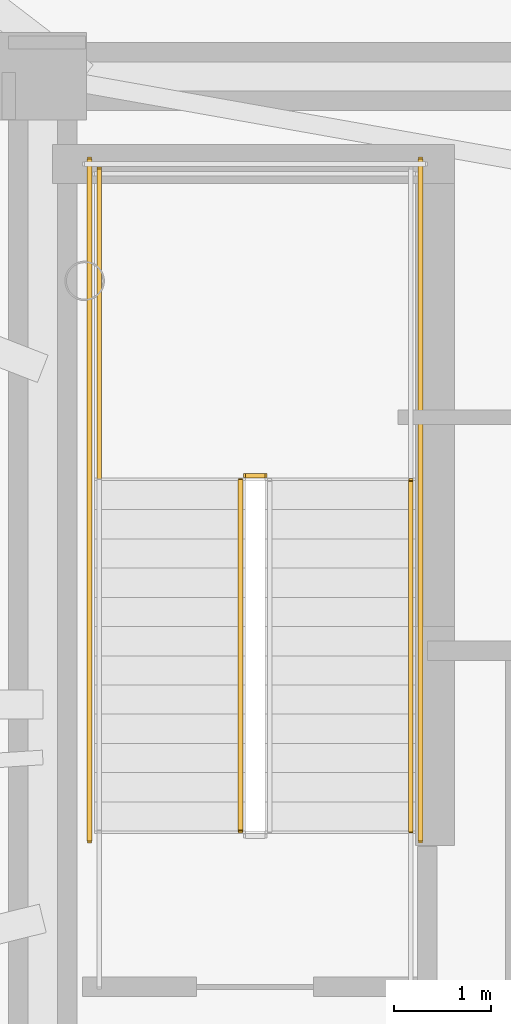
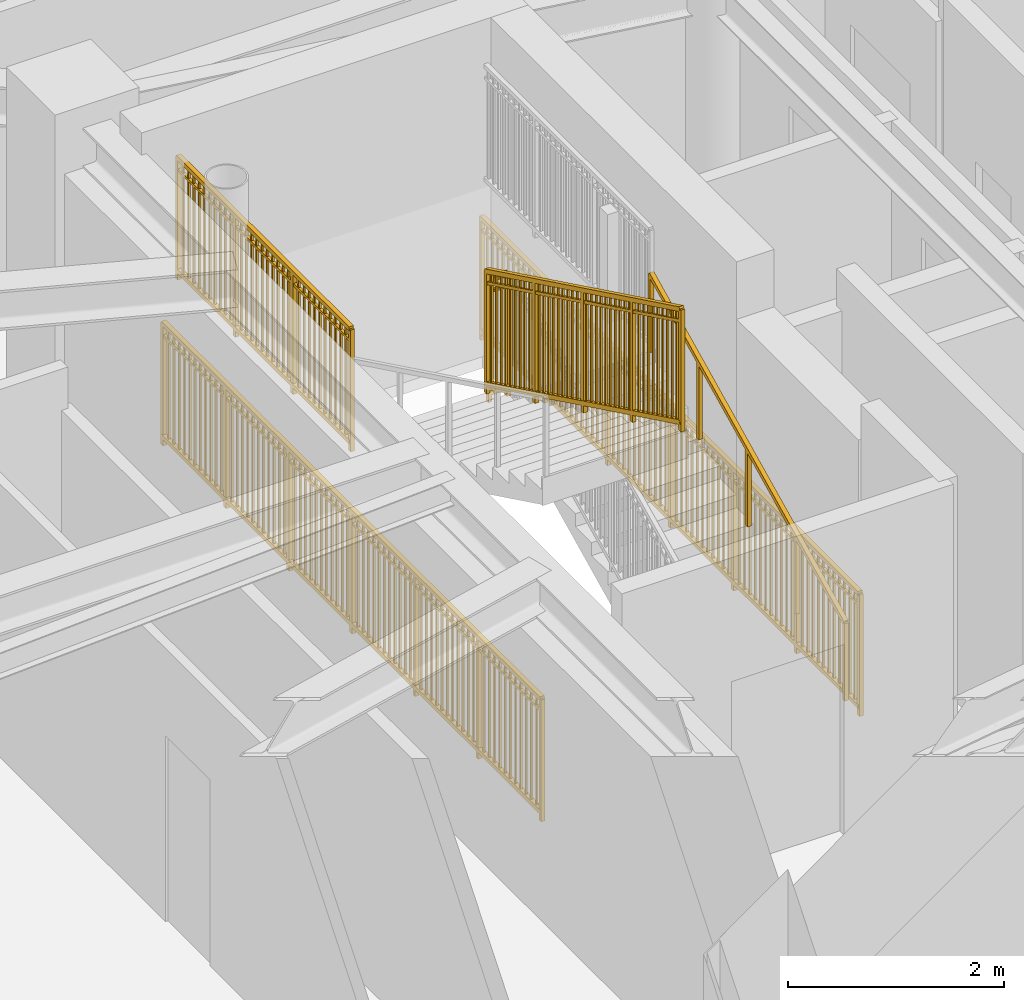
# One storey, part 17 of 19: 6 railings.
"""IFC4 building model written with IfcOpenShell, lengths in metres."""

from ifc_helpers import new_model, si_unit, direction, frame, origin, origin_2d, place, context, subcontext, project, spatial, rectangle, extrude, source, transform, mapped, material, type_object, element, save


model = new_model("IFC4")

# Units and contexts
model_context = context("Model", 3, precision=1e-05, world=origin(), true_north=direction((0.0, 1.0)))
body_context = subcontext(model_context, "Body", "Model", "MODEL_VIEW")
ifc_project = project(units=[si_unit("LENGTHUNIT", "METRE"), si_unit("AREAUNIT", "SQUARE_METRE"), si_unit("VOLUMEUNIT", "CUBIC_METRE"), si_unit("PLANEANGLEUNIT", "RADIAN"), si_unit("MASSUNIT", "GRAM", prefix="KILO")], contexts=[model_context])

# Site, building, storey
site_placement = place(None, origin())
site = spatial("IfcSite", under=ifc_project, at=site_placement, CompositionType="ELEMENT")
building_placement = place(site_placement, origin())
building = spatial("IfcBuilding", under=site, at=building_placement, Name="Linh Dai School and Residence Tower", CompositionType="ELEMENT")
storey_placement = place(building_placement, frame((0.0, 0.0, 339.199951171875)))
storey = spatial("IfcBuildingStorey", under=building, at=storey_placement, Name="L84", CompositionType="ELEMENT", Elevation=339.199951171875)

# Railings
ifc_material_1 = material(Name="Structural Steel S355JR", Category="steel")
railing_type_1 = type_object("IfcRailingType", Name="RL-ST-GUARD-1400", PredefinedType="GUARDRAIL", material=ifc_material_1)
shared_shape_1 = source(origin(), body_context, "Body", "SweptSolid", [
    extrude(rectangle(XDim=0.048095703125, YDim=0.048095703125, at=origin_2d()), frame((0.0, 0.0, 1.3759765625), z_axis=(-1.0, 0.0, 0.0), x_axis=(0.0, -1.0, 0.0)), (0.0, 0.0, 1.0), 0.199951171875),
    extrude(rectangle(XDim=0.048095703125, YDim=0.048095703125, at=origin_2d()), frame((0.0, 0.0, 0.10009765625), z_axis=(-1.0, 0.0, 0.0), x_axis=(0.0, -1.0, 0.0)), (0.0, 0.0, 1.0), 0.199951171875),
    extrude(rectangle(XDim=0.030029296875, YDim=0.030029296875, at=origin_2d()), frame((0.0, 0.0, 1.239990234375), z_axis=(-1.0, 0.0, 0.0), x_axis=(0.0, -1.0, 0.0)), (0.0, 0.0, 1.0), 0.199951171875),
    extrude(rectangle(XDim=0.0419921875, YDim=0.0419921875, at=origin_2d()), origin(), (0.0, 0.0, 1.0), 1.3759765625),
    extrude(rectangle(XDim=0.0419921875, YDim=0.0419921875, at=origin_2d()), frame((-0.199951171875, 0.0, 0.0)), (0.0, 0.0, 1.0), 1.3759765625),
])
railing_1_placement = place(storey_placement, frame((29.429931640625, 29.35009765625, 1.900146484375)))
element("IfcRailing", 1, at=railing_1_placement, inside=storey, type_object=railing_type_1, Name="L84 ST1 stair guard 2", PredefinedType="GUARDRAIL", context=body_context, shape_type="MappedRepresentation", body=[
    mapped(shared_shape_1, transform((0.0, 0.0, 0.0), x_axis=(1.0, 0.0, 0.0), y_axis=(0.0, 1.0, 0.0), z_axis=(0.0, 0.0, 1.0), scale=1.0)),
])
shared_shape_2 = source(origin(), body_context, "Body", "SweptSolid", [
    extrude(rectangle(XDim=0.048095703125, YDim=0.048095703125, at=origin_2d()), frame((0.0, 0.0, 1.3759765625), z_axis=(0.0, 1.0, 0.0), x_axis=(-1.0, 0.0, 0.0)), (0.0, 0.0, 1.0), 7.0),
    extrude(rectangle(XDim=0.048095703125, YDim=0.048095703125, at=origin_2d()), frame((0.0, 0.0, 0.10009765625), z_axis=(0.0, 1.0, 0.0), x_axis=(-1.0, 0.0, 0.0)), (0.0, 0.0, 1.0), 7.0),
    extrude(rectangle(XDim=0.030029296875, YDim=0.030029296875, at=origin_2d()), frame((0.0, 0.0, 1.239990234375), z_axis=(0.0, 1.0, 0.0), x_axis=(-1.0, 0.0, 0.0)), (0.0, 0.0, 1.0), 7.0),
    extrude(rectangle(XDim=0.02001953125, YDim=0.02001953125, at=origin_2d()), frame((0.0, 0.09716796875, 0.10009765625)), (0.0, 0.0, 1.0), 1.251708984375),
    extrude(rectangle(XDim=0.02001953125, YDim=0.02001953125, at=origin_2d()), frame((0.0, 0.1943359375, 0.10009765625)), (0.0, 0.0, 1.0), 1.251708984375),
    extrude(rectangle(XDim=0.02001953125, YDim=0.02001953125, at=origin_2d()), frame((0.0, 0.291748046875, 0.10009765625)), (0.0, 0.0, 1.0), 1.251708984375),
    extrude(rectangle(XDim=0.02001953125, YDim=0.02001953125, at=origin_2d()), frame((0.0, 0.388916015625, 0.10009765625)), (0.0, 0.0, 1.0), 1.251708984375),
    extrude(rectangle(XDim=0.02001953125, YDim=0.02001953125, at=origin_2d()), frame((0.0, 0.486083984375, 0.10009765625)), (0.0, 0.0, 1.0), 1.251708984375),
    extrude(rectangle(XDim=0.02001953125, YDim=0.02001953125, at=origin_2d()), frame((0.0, 0.583251953125, 0.10009765625)), (0.0, 0.0, 1.0), 1.251708984375),
    extrude(rectangle(XDim=0.02001953125, YDim=0.02001953125, at=origin_2d()), frame((0.0, 0.6806640625, 0.10009765625)), (0.0, 0.0, 1.0), 1.251708984375),
    extrude(rectangle(XDim=0.02001953125, YDim=0.02001953125, at=origin_2d()), frame((0.0, 0.77783203125, 0.10009765625)), (0.0, 0.0, 1.0), 1.251708984375),
    extrude(rectangle(XDim=0.02001953125, YDim=0.02001953125, at=origin_2d()), frame((0.0, 0.875, 0.10009765625)), (0.0, 0.0, 1.0), 1.251708984375),
    extrude(rectangle(XDim=0.02001953125, YDim=0.02001953125, at=origin_2d()), frame((0.0, 0.97216796875, 0.10009765625)), (0.0, 0.0, 1.0), 1.251708984375),
    extrude(rectangle(XDim=0.02001953125, YDim=0.02001953125, at=origin_2d()), frame((0.0, 1.0693359375, 0.10009765625)), (0.0, 0.0, 1.0), 1.251708984375),
    extrude(rectangle(XDim=0.02001953125, YDim=0.02001953125, at=origin_2d()), frame((0.0, 1.263916015625, 0.10009765625)), (0.0, 0.0, 1.0), 1.251708984375),
    extrude(rectangle(XDim=0.02001953125, YDim=0.02001953125, at=origin_2d()), frame((0.0, 1.361083984375, 0.10009765625)), (0.0, 0.0, 1.0), 1.251708984375),
    extrude(rectangle(XDim=0.02001953125, YDim=0.02001953125, at=origin_2d()), frame((0.0, 1.458251953125, 0.10009765625)), (0.0, 0.0, 1.0), 1.251708984375),
    extrude(rectangle(XDim=0.02001953125, YDim=0.02001953125, at=origin_2d()), frame((0.0, 1.5556640625, 0.10009765625)), (0.0, 0.0, 1.0), 1.251708984375),
    extrude(rectangle(XDim=0.02001953125, YDim=0.02001953125, at=origin_2d()), frame((0.0, 1.65283203125, 0.10009765625)), (0.0, 0.0, 1.0), 1.251708984375),
    extrude(rectangle(XDim=0.02001953125, YDim=0.02001953125, at=origin_2d()), frame((0.0, 1.75, 0.10009765625)), (0.0, 0.0, 1.0), 1.251708984375),
    extrude(rectangle(XDim=0.02001953125, YDim=0.02001953125, at=origin_2d()), frame((0.0, 1.84716796875, 0.10009765625)), (0.0, 0.0, 1.0), 1.251708984375),
    extrude(rectangle(XDim=0.02001953125, YDim=0.02001953125, at=origin_2d()), frame((0.0, 1.9443359375, 0.10009765625)), (0.0, 0.0, 1.0), 1.251708984375),
    extrude(rectangle(XDim=0.02001953125, YDim=0.02001953125, at=origin_2d()), frame((0.0, 2.041748046875, 0.10009765625)), (0.0, 0.0, 1.0), 1.251708984375),
    extrude(rectangle(XDim=0.02001953125, YDim=0.02001953125, at=origin_2d()), frame((0.0, 2.138916015625, 0.10009765625)), (0.0, 0.0, 1.0), 1.251708984375),
    extrude(rectangle(XDim=0.02001953125, YDim=0.02001953125, at=origin_2d()), frame((0.0, 2.236083984375, 0.10009765625)), (0.0, 0.0, 1.0), 1.251708984375),
    extrude(rectangle(XDim=0.02001953125, YDim=0.02001953125, at=origin_2d()), frame((0.0, 2.4306640625, 0.10009765625)), (0.0, 0.0, 1.0), 1.251708984375),
    extrude(rectangle(XDim=0.02001953125, YDim=0.02001953125, at=origin_2d()), frame((0.0, 2.52783203125, 0.10009765625)), (0.0, 0.0, 1.0), 1.251708984375),
    extrude(rectangle(XDim=0.02001953125, YDim=0.02001953125, at=origin_2d()), frame((0.0, 2.625, 0.10009765625)), (0.0, 0.0, 1.0), 1.251708984375),
    extrude(rectangle(XDim=0.02001953125, YDim=0.02001953125, at=origin_2d()), frame((0.0, 2.72216796875, 0.10009765625)), (0.0, 0.0, 1.0), 1.251708984375),
    extrude(rectangle(XDim=0.02001953125, YDim=0.02001953125, at=origin_2d()), frame((0.0, 2.8193359375, 0.10009765625)), (0.0, 0.0, 1.0), 1.251708984375),
    extrude(rectangle(XDim=0.02001953125, YDim=0.02001953125, at=origin_2d()), frame((0.0, 2.916748046875, 0.10009765625)), (0.0, 0.0, 1.0), 1.251708984375),
    extrude(rectangle(XDim=0.02001953125, YDim=0.02001953125, at=origin_2d()), frame((0.0, 3.013916015625, 0.10009765625)), (0.0, 0.0, 1.0), 1.251708984375),
    extrude(rectangle(XDim=0.02001953125, YDim=0.02001953125, at=origin_2d()), frame((0.0, 3.111083984375, 0.10009765625)), (0.0, 0.0, 1.0), 1.251708984375),
    extrude(rectangle(XDim=0.02001953125, YDim=0.02001953125, at=origin_2d()), frame((0.0, 3.208251953125, 0.10009765625)), (0.0, 0.0, 1.0), 1.251708984375),
    extrude(rectangle(XDim=0.02001953125, YDim=0.02001953125, at=origin_2d()), frame((0.0, 3.3056640625, 0.10009765625)), (0.0, 0.0, 1.0), 1.251708984375),
    extrude(rectangle(XDim=0.02001953125, YDim=0.02001953125, at=origin_2d()), frame((0.0, 3.40283203125, 0.10009765625)), (0.0, 0.0, 1.0), 1.251708984375),
    extrude(rectangle(XDim=0.02001953125, YDim=0.02001953125, at=origin_2d()), frame((0.0, 3.59716796875, 0.10009765625)), (0.0, 0.0, 1.0), 1.251708984375),
    extrude(rectangle(XDim=0.02001953125, YDim=0.02001953125, at=origin_2d()), frame((0.0, 3.6943359375, 0.10009765625)), (0.0, 0.0, 1.0), 1.251708984375),
    extrude(rectangle(XDim=0.02001953125, YDim=0.02001953125, at=origin_2d()), frame((0.0, 3.791748046875, 0.10009765625)), (0.0, 0.0, 1.0), 1.251708984375),
    extrude(rectangle(XDim=0.02001953125, YDim=0.02001953125, at=origin_2d()), frame((0.0, 3.888916015625, 0.10009765625)), (0.0, 0.0, 1.0), 1.251708984375),
    extrude(rectangle(XDim=0.02001953125, YDim=0.02001953125, at=origin_2d()), frame((0.0, 3.986083984375, 0.10009765625)), (0.0, 0.0, 1.0), 1.251708984375),
    extrude(rectangle(XDim=0.02001953125, YDim=0.02001953125, at=origin_2d()), frame((0.0, 4.083251953125, 0.10009765625)), (0.0, 0.0, 1.0), 1.251708984375),
    extrude(rectangle(XDim=0.02001953125, YDim=0.02001953125, at=origin_2d()), frame((0.0, 4.1806640625, 0.10009765625)), (0.0, 0.0, 1.0), 1.251708984375),
    extrude(rectangle(XDim=0.02001953125, YDim=0.02001953125, at=origin_2d()), frame((0.0, 4.27783203125, 0.10009765625)), (0.0, 0.0, 1.0), 1.251708984375),
    extrude(rectangle(XDim=0.02001953125, YDim=0.02001953125, at=origin_2d()), frame((0.0, 4.375, 0.10009765625)), (0.0, 0.0, 1.0), 1.251708984375),
    extrude(rectangle(XDim=0.02001953125, YDim=0.02001953125, at=origin_2d()), frame((0.0, 4.47216796875, 0.10009765625)), (0.0, 0.0, 1.0), 1.251708984375),
    extrude(rectangle(XDim=0.02001953125, YDim=0.02001953125, at=origin_2d()), frame((0.0, 4.5693359375, 0.10009765625)), (0.0, 0.0, 1.0), 1.251708984375),
    extrude(rectangle(XDim=0.02001953125, YDim=0.02001953125, at=origin_2d()), frame((0.0, 4.763916015625, 0.10009765625)), (0.0, 0.0, 1.0), 1.251708984375),
    extrude(rectangle(XDim=0.02001953125, YDim=0.02001953125, at=origin_2d()), frame((0.0, 4.861083984375, 0.10009765625)), (0.0, 0.0, 1.0), 1.251708984375),
    extrude(rectangle(XDim=0.02001953125, YDim=0.02001953125, at=origin_2d()), frame((0.0, 4.958251953125, 0.10009765625)), (0.0, 0.0, 1.0), 1.251708984375),
    extrude(rectangle(XDim=0.02001953125, YDim=0.02001953125, at=origin_2d()), frame((0.0, 5.0556640625, 0.10009765625)), (0.0, 0.0, 1.0), 1.251708984375),
    extrude(rectangle(XDim=0.02001953125, YDim=0.02001953125, at=origin_2d()), frame((0.0, 5.15283203125, 0.10009765625)), (0.0, 0.0, 1.0), 1.251708984375),
    extrude(rectangle(XDim=0.02001953125, YDim=0.02001953125, at=origin_2d()), frame((0.0, 5.25, 0.10009765625)), (0.0, 0.0, 1.0), 1.251708984375),
    extrude(rectangle(XDim=0.02001953125, YDim=0.02001953125, at=origin_2d()), frame((0.0, 5.34716796875, 0.10009765625)), (0.0, 0.0, 1.0), 1.251708984375),
    extrude(rectangle(XDim=0.02001953125, YDim=0.02001953125, at=origin_2d()), frame((0.0, 5.4443359375, 0.10009765625)), (0.0, 0.0, 1.0), 1.251708984375),
    extrude(rectangle(XDim=0.02001953125, YDim=0.02001953125, at=origin_2d()), frame((0.0, 5.541748046875, 0.10009765625)), (0.0, 0.0, 1.0), 1.251708984375),
    extrude(rectangle(XDim=0.02001953125, YDim=0.02001953125, at=origin_2d()), frame((0.0, 5.638916015625, 0.10009765625)), (0.0, 0.0, 1.0), 1.251708984375),
    extrude(rectangle(XDim=0.02001953125, YDim=0.02001953125, at=origin_2d()), frame((0.0, 5.736083984375, 0.10009765625)), (0.0, 0.0, 1.0), 1.251708984375),
    extrude(rectangle(XDim=0.02001953125, YDim=0.02001953125, at=origin_2d()), frame((0.0, 5.9306640625, 0.10009765625)), (0.0, 0.0, 1.0), 1.251708984375),
    extrude(rectangle(XDim=0.02001953125, YDim=0.02001953125, at=origin_2d()), frame((0.0, 6.02783203125, 0.10009765625)), (0.0, 0.0, 1.0), 1.251708984375),
    extrude(rectangle(XDim=0.02001953125, YDim=0.02001953125, at=origin_2d()), frame((0.0, 6.125, 0.10009765625)), (0.0, 0.0, 1.0), 1.251708984375),
    extrude(rectangle(XDim=0.02001953125, YDim=0.02001953125, at=origin_2d()), frame((0.0, 6.22216796875, 0.10009765625)), (0.0, 0.0, 1.0), 1.251708984375),
    extrude(rectangle(XDim=0.02001953125, YDim=0.02001953125, at=origin_2d()), frame((0.0, 6.3193359375, 0.10009765625)), (0.0, 0.0, 1.0), 1.251708984375),
    extrude(rectangle(XDim=0.02001953125, YDim=0.02001953125, at=origin_2d()), frame((0.0, 6.416748046875, 0.10009765625)), (0.0, 0.0, 1.0), 1.251708984375),
    extrude(rectangle(XDim=0.02001953125, YDim=0.02001953125, at=origin_2d()), frame((0.0, 6.513916015625, 0.10009765625)), (0.0, 0.0, 1.0), 1.251708984375),
    extrude(rectangle(XDim=0.02001953125, YDim=0.02001953125, at=origin_2d()), frame((0.0, 6.611083984375, 0.10009765625)), (0.0, 0.0, 1.0), 1.251708984375),
    extrude(rectangle(XDim=0.02001953125, YDim=0.02001953125, at=origin_2d()), frame((0.0, 6.708251953125, 0.10009765625)), (0.0, 0.0, 1.0), 1.251708984375),
    extrude(rectangle(XDim=0.02001953125, YDim=0.02001953125, at=origin_2d()), frame((0.0, 6.8056640625, 0.10009765625)), (0.0, 0.0, 1.0), 1.251708984375),
    extrude(rectangle(XDim=0.02001953125, YDim=0.02001953125, at=origin_2d()), frame((0.0, 6.90283203125, 0.10009765625)), (0.0, 0.0, 1.0), 1.251708984375),
    extrude(rectangle(XDim=0.0419921875, YDim=0.0419921875, at=origin_2d()), origin(), (0.0, 0.0, 1.0), 1.3759765625),
    extrude(rectangle(XDim=0.0419921875, YDim=0.0419921875, at=origin_2d()), frame((0.0, 1.166748046875, 0.0)), (0.0, 0.0, 1.0), 1.3759765625),
    extrude(rectangle(XDim=0.0419921875, YDim=0.0419921875, at=origin_2d()), frame((0.0, 2.333251953125, 0.0)), (0.0, 0.0, 1.0), 1.3759765625),
    extrude(rectangle(XDim=0.0419921875, YDim=0.0419921875, at=origin_2d()), frame((0.0, 3.5, 0.0)), (0.0, 0.0, 1.0), 1.3759765625),
    extrude(rectangle(XDim=0.0419921875, YDim=0.0419921875, at=origin_2d()), frame((0.0, 4.666748046875, 0.0)), (0.0, 0.0, 1.0), 1.3759765625),
    extrude(rectangle(XDim=0.0419921875, YDim=0.0419921875, at=origin_2d()), frame((0.0, 5.833251953125, 0.0)), (0.0, 0.0, 1.0), 1.3759765625),
    extrude(rectangle(XDim=0.0419921875, YDim=0.0419921875, at=origin_2d()), frame((0.0, 7.0, 0.0)), (0.0, 0.0, 1.0), 1.3759765625),
])
for number, where, name in (
    (2, (31.030029296875, 25.60009765625, 0.0), "L84 ST1 stair guard 10"),
    (3, (27.6298828125, 25.60009765625, 0.0), "L84 ST1 stair guard 11"),
):
    element("IfcRailing", number, at=place(storey_placement, frame(where)), inside=storey, type_object=railing_type_1, Name=name, PredefinedType="GUARDRAIL", context=body_context, shape_type="MappedRepresentation", body=[
        mapped(shared_shape_2, transform((0.0, 0.0, 0.0), x_axis=(1.0, 0.0, 0.0), y_axis=(0.0, 1.0, 0.0), z_axis=(0.0, 0.0, 1.0), scale=1.0)),
    ])
shared_shape_3 = source(origin(), body_context, "Body", "SweptSolid", [
    extrude(rectangle(XDim=0.048095703125, YDim=0.048095703125, at=origin_2d()), frame((0.0, 0.0, 1.3759765625), z_axis=(0.0, 1.0, 0.0), x_axis=(-1.0, 0.0, 0.0)), (0.0, 0.0, 1.0), 3.199951171875),
    extrude(rectangle(XDim=0.048095703125, YDim=0.048095703125, at=origin_2d()), frame((0.0, 0.0, 0.10009765625), z_axis=(0.0, 1.0, 0.0), x_axis=(-1.0, 0.0, 0.0)), (0.0, 0.0, 1.0), 3.199951171875),
    extrude(rectangle(XDim=0.030029296875, YDim=0.030029296875, at=origin_2d()), frame((0.0, 0.0, 1.239990234375), z_axis=(0.0, 1.0, 0.0), x_axis=(-1.0, 0.0, 0.0)), (0.0, 0.0, 1.0), 3.199951171875),
    extrude(rectangle(XDim=0.02001953125, YDim=0.02001953125, at=origin_2d()), frame((0.0, 0.096923828125, 0.10009765625)), (0.0, 0.0, 1.0), 1.251708984375),
    extrude(rectangle(XDim=0.02001953125, YDim=0.02001953125, at=origin_2d()), frame((0.0, 0.19384765625, 0.10009765625)), (0.0, 0.0, 1.0), 1.251708984375),
    extrude(rectangle(XDim=0.02001953125, YDim=0.02001953125, at=origin_2d()), frame((0.0, 0.291015625, 0.10009765625)), (0.0, 0.0, 1.0), 1.251708984375),
    extrude(rectangle(XDim=0.02001953125, YDim=0.02001953125, at=origin_2d()), frame((0.0, 0.387939453125, 0.10009765625)), (0.0, 0.0, 1.0), 1.251708984375),
    extrude(rectangle(XDim=0.02001953125, YDim=0.02001953125, at=origin_2d()), frame((0.0, 0.48486328125, 0.10009765625)), (0.0, 0.0, 1.0), 1.251708984375),
    extrude(rectangle(XDim=0.02001953125, YDim=0.02001953125, at=origin_2d()), frame((0.0, 0.581787109375, 0.10009765625)), (0.0, 0.0, 1.0), 1.251708984375),
    extrude(rectangle(XDim=0.02001953125, YDim=0.02001953125, at=origin_2d()), frame((0.0, 0.6787109375, 0.10009765625)), (0.0, 0.0, 1.0), 1.251708984375),
    extrude(rectangle(XDim=0.02001953125, YDim=0.02001953125, at=origin_2d()), frame((0.0, 0.775634765625, 0.10009765625)), (0.0, 0.0, 1.0), 1.251708984375),
    extrude(rectangle(XDim=0.02001953125, YDim=0.02001953125, at=origin_2d()), frame((0.0, 0.872802734375, 0.10009765625)), (0.0, 0.0, 1.0), 1.251708984375),
    extrude(rectangle(XDim=0.02001953125, YDim=0.02001953125, at=origin_2d()), frame((0.0, 0.9697265625, 0.10009765625)), (0.0, 0.0, 1.0), 1.251708984375),
    extrude(rectangle(XDim=0.02001953125, YDim=0.02001953125, at=origin_2d()), frame((0.0, 1.16357421875, 0.10009765625)), (0.0, 0.0, 1.0), 1.251708984375),
    extrude(rectangle(XDim=0.02001953125, YDim=0.02001953125, at=origin_2d()), frame((0.0, 1.260498046875, 0.10009765625)), (0.0, 0.0, 1.0), 1.251708984375),
    extrude(rectangle(XDim=0.02001953125, YDim=0.02001953125, at=origin_2d()), frame((0.0, 1.357666015625, 0.10009765625)), (0.0, 0.0, 1.0), 1.251708984375),
    extrude(rectangle(XDim=0.02001953125, YDim=0.02001953125, at=origin_2d()), frame((0.0, 1.45458984375, 0.10009765625)), (0.0, 0.0, 1.0), 1.251708984375),
    extrude(rectangle(XDim=0.02001953125, YDim=0.02001953125, at=origin_2d()), frame((0.0, 1.551513671875, 0.10009765625)), (0.0, 0.0, 1.0), 1.251708984375),
    extrude(rectangle(XDim=0.02001953125, YDim=0.02001953125, at=origin_2d()), frame((0.0, 1.6484375, 0.10009765625)), (0.0, 0.0, 1.0), 1.251708984375),
    extrude(rectangle(XDim=0.02001953125, YDim=0.02001953125, at=origin_2d()), frame((0.0, 1.745361328125, 0.10009765625)), (0.0, 0.0, 1.0), 1.251708984375),
    extrude(rectangle(XDim=0.02001953125, YDim=0.02001953125, at=origin_2d()), frame((0.0, 1.84228515625, 0.10009765625)), (0.0, 0.0, 1.0), 1.251708984375),
    extrude(rectangle(XDim=0.02001953125, YDim=0.02001953125, at=origin_2d()), frame((0.0, 1.939453125, 0.10009765625)), (0.0, 0.0, 1.0), 1.251708984375),
    extrude(rectangle(XDim=0.02001953125, YDim=0.02001953125, at=origin_2d()), frame((0.0, 2.036376953125, 0.10009765625)), (0.0, 0.0, 1.0), 1.251708984375),
    extrude(rectangle(XDim=0.02001953125, YDim=0.02001953125, at=origin_2d()), frame((0.0, 2.230224609375, 0.10009765625)), (0.0, 0.0, 1.0), 1.251708984375),
    extrude(rectangle(XDim=0.02001953125, YDim=0.02001953125, at=origin_2d()), frame((0.0, 2.3271484375, 0.10009765625)), (0.0, 0.0, 1.0), 1.251708984375),
    extrude(rectangle(XDim=0.02001953125, YDim=0.02001953125, at=origin_2d()), frame((0.0, 2.42431640625, 0.10009765625)), (0.0, 0.0, 1.0), 1.251708984375),
    extrude(rectangle(XDim=0.02001953125, YDim=0.02001953125, at=origin_2d()), frame((0.0, 2.521240234375, 0.10009765625)), (0.0, 0.0, 1.0), 1.251708984375),
    extrude(rectangle(XDim=0.02001953125, YDim=0.02001953125, at=origin_2d()), frame((0.0, 2.6181640625, 0.10009765625)), (0.0, 0.0, 1.0), 1.251708984375),
    extrude(rectangle(XDim=0.02001953125, YDim=0.02001953125, at=origin_2d()), frame((0.0, 2.715087890625, 0.10009765625)), (0.0, 0.0, 1.0), 1.251708984375),
    extrude(rectangle(XDim=0.02001953125, YDim=0.02001953125, at=origin_2d()), frame((0.0, 2.81201171875, 0.10009765625)), (0.0, 0.0, 1.0), 1.251708984375),
    extrude(rectangle(XDim=0.02001953125, YDim=0.02001953125, at=origin_2d()), frame((0.0, 2.908935546875, 0.10009765625)), (0.0, 0.0, 1.0), 1.251708984375),
    extrude(rectangle(XDim=0.02001953125, YDim=0.02001953125, at=origin_2d()), frame((0.0, 3.006103515625, 0.10009765625)), (0.0, 0.0, 1.0), 1.251708984375),
    extrude(rectangle(XDim=0.02001953125, YDim=0.02001953125, at=origin_2d()), frame((0.0, 3.10302734375, 0.10009765625)), (0.0, 0.0, 1.0), 1.251708984375),
    extrude(rectangle(XDim=0.0419921875, YDim=0.0419921875, at=origin_2d()), origin(), (0.0, 0.0, 1.0), 1.3759765625),
    extrude(rectangle(XDim=0.0419921875, YDim=0.0419921875, at=origin_2d()), frame((0.0, 1.066650390625, 0.0)), (0.0, 0.0, 1.0), 1.3759765625),
    extrude(rectangle(XDim=0.0419921875, YDim=0.0419921875, at=origin_2d()), frame((0.0, 2.13330078125, 0.0)), (0.0, 0.0, 1.0), 1.3759765625),
    extrude(rectangle(XDim=0.0419921875, YDim=0.0419921875, at=origin_2d()), frame((0.0, 3.199951171875, 0.0)), (0.0, 0.0, 1.0), 1.3759765625),
])
railing_2_placement = place(storey_placement, frame((27.72998046875, 29.300048828125, 1.900146484375)))
element("IfcRailing", 4, at=railing_2_placement, inside=storey, type_object=railing_type_1, Name="L84 ST1 stair guard 4", PredefinedType="GUARDRAIL", context=body_context, shape_type="MappedRepresentation", body=[
    mapped(shared_shape_3, transform((0.0, 0.0, 0.0), x_axis=(1.0, 0.0, 0.0), y_axis=(0.0, 1.0, 0.0), z_axis=(0.0, 0.0, 1.0), scale=1.0)),
])
shared_shape_4 = source(origin(), body_context, "Body", "SweptSolid", [
    extrude(rectangle(XDim=0.048095703125, YDim=0.048095703125, at=origin_2d()), frame((0.0, 0.0, 1.3759765625), z_axis=(0.0, -0.898988637874, 0.437971949985), x_axis=(1.0, 0.0, 0.0)), (0.0, 0.0, 1.0), 4.004638671875),
    extrude(rectangle(XDim=0.048095703125, YDim=0.048095703125, at=origin_2d()), frame((0.0, 0.0, 0.10009765625), z_axis=(0.0, -0.898988637874, 0.437971949985), x_axis=(1.0, 0.0, 0.0)), (0.0, 0.0, 1.0), 4.004638671875),
    extrude(rectangle(XDim=0.030029296875, YDim=0.030029296875, at=origin_2d()), frame((0.0, 0.0, 1.239990234375), z_axis=(0.0, -0.898988637874, 0.437971949985), x_axis=(1.0, 0.0, 0.0)), (0.0, 0.0, 1.0), 4.004638671875),
    extrude(rectangle(XDim=0.02001953125, YDim=0.02001953125, at=origin_2d()), frame((0.0, -0.087890625, 0.142822265625)), (0.0, 0.0, 1.0), 1.251708984375),
    extrude(rectangle(XDim=0.02001953125, YDim=0.02001953125, at=origin_2d()), frame((0.0, -0.175537109375, 0.185546875)), (0.0, 0.0, 1.0), 1.251708984375),
    extrude(rectangle(XDim=0.02001953125, YDim=0.02001953125, at=origin_2d()), frame((0.0, -0.263427734375, 0.228515625)), (0.0, 0.0, 1.0), 1.251708984375),
    extrude(rectangle(XDim=0.02001953125, YDim=0.02001953125, at=origin_2d()), frame((0.0, -0.351318359375, 0.271240234375)), (0.0, 0.0, 1.0), 1.251708984375),
    extrude(rectangle(XDim=0.02001953125, YDim=0.02001953125, at=origin_2d()), frame((0.0, -0.43896484375, 0.31396484375)), (0.0, 0.0, 1.0), 1.251708984375),
    extrude(rectangle(XDim=0.02001953125, YDim=0.02001953125, at=origin_2d()), frame((0.0, -0.52685546875, 0.356689453125)), (0.0, 0.0, 1.0), 1.251708984375),
    extrude(rectangle(XDim=0.02001953125, YDim=0.02001953125, at=origin_2d()), frame((0.0, -0.61474609375, 0.399658203125)), (0.0, 0.0, 1.0), 1.251708984375),
    extrude(rectangle(XDim=0.02001953125, YDim=0.02001953125, at=origin_2d()), frame((0.0, -0.702392578125, 0.4423828125)), (0.0, 0.0, 1.0), 1.251708984375),
    extrude(rectangle(XDim=0.02001953125, YDim=0.02001953125, at=origin_2d()), frame((0.0, -0.790283203125, 0.485107421875)), (0.0, 0.0, 1.0), 1.251708984375),
    extrude(rectangle(XDim=0.02001953125, YDim=0.02001953125, at=origin_2d()), frame((0.0, -0.9658203125, 0.570556640625)), (0.0, 0.0, 1.0), 1.251708984375),
    extrude(rectangle(XDim=0.02001953125, YDim=0.02001953125, at=origin_2d()), frame((0.0, -1.0537109375, 0.613525390625)), (0.0, 0.0, 1.0), 1.251708984375),
    extrude(rectangle(XDim=0.02001953125, YDim=0.02001953125, at=origin_2d()), frame((0.0, -1.1416015625, 0.65625)), (0.0, 0.0, 1.0), 1.251708984375),
    extrude(rectangle(XDim=0.02001953125, YDim=0.02001953125, at=origin_2d()), frame((0.0, -1.229248046875, 0.698974609375)), (0.0, 0.0, 1.0), 1.251708984375),
    extrude(rectangle(XDim=0.02001953125, YDim=0.02001953125, at=origin_2d()), frame((0.0, -1.317138671875, 0.74169921875)), (0.0, 0.0, 1.0), 1.251708984375),
    extrude(rectangle(XDim=0.02001953125, YDim=0.02001953125, at=origin_2d()), frame((0.0, -1.405029296875, 0.78466796875)), (0.0, 0.0, 1.0), 1.251708984375),
    extrude(rectangle(XDim=0.02001953125, YDim=0.02001953125, at=origin_2d()), frame((0.0, -1.49267578125, 0.827392578125)), (0.0, 0.0, 1.0), 1.251708984375),
    extrude(rectangle(XDim=0.02001953125, YDim=0.02001953125, at=origin_2d()), frame((0.0, -1.58056640625, 0.8701171875)), (0.0, 0.0, 1.0), 1.251708984375),
    extrude(rectangle(XDim=0.02001953125, YDim=0.02001953125, at=origin_2d()), frame((0.0, -1.66845703125, 0.912841796875)), (0.0, 0.0, 1.0), 1.251708984375),
    extrude(rectangle(XDim=0.02001953125, YDim=0.02001953125, at=origin_2d()), frame((0.0, -1.756103515625, 0.95556640625)), (0.0, 0.0, 1.0), 1.251708984375),
    extrude(rectangle(XDim=0.02001953125, YDim=0.02001953125, at=origin_2d()), frame((0.0, -1.843994140625, 0.99853515625)), (0.0, 0.0, 1.0), 1.251708984375),
    extrude(rectangle(XDim=0.02001953125, YDim=0.02001953125, at=origin_2d()), frame((0.0, -1.931640625, 1.041259765625)), (0.0, 0.0, 1.0), 1.251708984375),
    extrude(rectangle(XDim=0.02001953125, YDim=0.02001953125, at=origin_2d()), frame((0.0, -2.01953125, 1.083984375)), (0.0, 0.0, 1.0), 1.251708984375),
    extrude(rectangle(XDim=0.02001953125, YDim=0.02001953125, at=origin_2d()), frame((0.0, -2.107421875, 1.126708984375)), (0.0, 0.0, 1.0), 1.251708984375),
    extrude(rectangle(XDim=0.02001953125, YDim=0.02001953125, at=origin_2d()), frame((0.0, -2.195068359375, 1.16943359375)), (0.0, 0.0, 1.0), 1.251708984375),
    extrude(rectangle(XDim=0.02001953125, YDim=0.02001953125, at=origin_2d()), frame((0.0, -2.282958984375, 1.21240234375)), (0.0, 0.0, 1.0), 1.251708984375),
    extrude(rectangle(XDim=0.02001953125, YDim=0.02001953125, at=origin_2d()), frame((0.0, -2.370849609375, 1.255126953125)), (0.0, 0.0, 1.0), 1.251708984375),
    extrude(rectangle(XDim=0.02001953125, YDim=0.02001953125, at=origin_2d()), frame((0.0, -2.45849609375, 1.2978515625)), (0.0, 0.0, 1.0), 1.251708984375),
    extrude(rectangle(XDim=0.02001953125, YDim=0.02001953125, at=origin_2d()), frame((0.0, -2.54638671875, 1.340576171875)), (0.0, 0.0, 1.0), 1.251708984375),
    extrude(rectangle(XDim=0.02001953125, YDim=0.02001953125, at=origin_2d()), frame((0.0, -2.63427734375, 1.383544921875)), (0.0, 0.0, 1.0), 1.251708984375),
    extrude(rectangle(XDim=0.02001953125, YDim=0.02001953125, at=origin_2d()), frame((0.0, -2.809814453125, 1.468994140625)), (0.0, 0.0, 1.0), 1.251708984375),
    extrude(rectangle(XDim=0.02001953125, YDim=0.02001953125, at=origin_2d()), frame((0.0, -2.897705078125, 1.51171875)), (0.0, 0.0, 1.0), 1.251708984375),
    extrude(rectangle(XDim=0.02001953125, YDim=0.02001953125, at=origin_2d()), frame((0.0, -2.9853515625, 1.554443359375)), (0.0, 0.0, 1.0), 1.251708984375),
    extrude(rectangle(XDim=0.02001953125, YDim=0.02001953125, at=origin_2d()), frame((0.0, -3.0732421875, 1.597412109375)), (0.0, 0.0, 1.0), 1.251708984375),
    extrude(rectangle(XDim=0.02001953125, YDim=0.02001953125, at=origin_2d()), frame((0.0, -3.1611328125, 1.64013671875)), (0.0, 0.0, 1.0), 1.251708984375),
    extrude(rectangle(XDim=0.02001953125, YDim=0.02001953125, at=origin_2d()), frame((0.0, -3.248779296875, 1.682861328125)), (0.0, 0.0, 1.0), 1.251708984375),
    extrude(rectangle(XDim=0.02001953125, YDim=0.02001953125, at=origin_2d()), frame((0.0, -3.336669921875, 1.7255859375)), (0.0, 0.0, 1.0), 1.251708984375),
    extrude(rectangle(XDim=0.02001953125, YDim=0.02001953125, at=origin_2d()), frame((0.0, -3.424560546875, 1.7685546875)), (0.0, 0.0, 1.0), 1.251708984375),
    extrude(rectangle(XDim=0.02001953125, YDim=0.02001953125, at=origin_2d()), frame((0.0, -3.51220703125, 1.811279296875)), (0.0, 0.0, 1.0), 1.251708984375),
    extrude(rectangle(XDim=0.0419921875, YDim=0.0419921875, at=origin_2d()), origin(), (0.0, 0.0, 1.0), 1.3759765625),
    extrude(rectangle(XDim=0.0419921875, YDim=0.0419921875, at=origin_2d()), frame((0.0, -0.89990234375, 0.4384765625)), (0.0, 0.0, 1.0), 1.3759765625),
    extrude(rectangle(XDim=0.0419921875, YDim=0.0419921875, at=origin_2d()), frame((0.0, -1.800048828125, 0.876953125)), (0.0, 0.0, 1.0), 1.3759765625),
    extrude(rectangle(XDim=0.0419921875, YDim=0.0419921875, at=origin_2d()), frame((0.0, -2.7001953125, 1.3154296875)), (0.0, 0.0, 1.0), 1.3759765625),
    extrude(rectangle(XDim=0.0419921875, YDim=0.0419921875, at=origin_2d()), frame((0.0, -3.60009765625, 1.75390625)), (0.0, 0.0, 1.0), 1.3759765625),
])
railing_3_placement = place(storey_placement, frame((29.179931640625, 29.300048828125, 2.046142578125)))
element("IfcRailing", 5, at=railing_3_placement, inside=storey, type_object=railing_type_1, Name="L84 ST1 stair guard 6", PredefinedType="GUARDRAIL", context=body_context, shape_type="MappedRepresentation", body=[
    mapped(shared_shape_4, transform((0.0, 0.0, 0.0), x_axis=(1.0, 0.0, 0.0), y_axis=(0.0, 1.0, 0.0), z_axis=(0.0, 0.0, 1.0), scale=1.0)),
])
ifc_material_2 = material(Name="Brushed Stainless Steel Handrail", Category="steel")
railing_type_2 = type_object("IfcRailingType", Name="RL-ST-HANDRAIL-900", PredefinedType="HANDRAIL", material=ifc_material_2)
shared_shape_5 = source(origin(), body_context, "Body", "SweptSolid", [
    extrude(rectangle(XDim=0.048095703125, YDim=0.048095703125, at=origin_2d()), frame((0.0, 0.0, 0.8759765625), z_axis=(0.0, 0.898988637874, 0.437971949985), x_axis=(-1.0, 0.0, 0.0)), (0.0, 0.0, 1.0), 4.004638671875),
    extrude(rectangle(XDim=0.0419921875, YDim=0.0419921875, at=origin_2d()), origin(), (0.0, 0.0, 1.0), 0.8759765625),
    extrude(rectangle(XDim=0.0419921875, YDim=0.0419921875, at=origin_2d()), frame((0.0, 0.89990234375, 0.4384765625)), (0.0, 0.0, 1.0), 0.8759765625),
    extrude(rectangle(XDim=0.0419921875, YDim=0.0419921875, at=origin_2d()), frame((0.0, 1.800048828125, 0.876953125)), (0.0, 0.0, 1.0), 0.8759765625),
    extrude(rectangle(XDim=0.0419921875, YDim=0.0419921875, at=origin_2d()), frame((0.0, 2.7001953125, 1.3154296875)), (0.0, 0.0, 1.0), 0.8759765625),
    extrude(rectangle(XDim=0.0419921875, YDim=0.0419921875, at=origin_2d()), frame((0.0, 3.60009765625, 1.75390625)), (0.0, 0.0, 1.0), 0.8759765625),
])
railing_4_placement = place(storey_placement, frame((30.929931640625, 25.699951171875, 0.146240234375)))
element("IfcRailing", 6, at=railing_4_placement, inside=storey, type_object=railing_type_2, Name="L84 ST1 stair handrail 1", PredefinedType="HANDRAIL", context=body_context, shape_type="MappedRepresentation", body=[
    mapped(shared_shape_5, transform((0.0, 0.0, 0.0), x_axis=(1.0, 0.0, 0.0), y_axis=(0.0, 1.0, 0.0), z_axis=(0.0, 0.0, 1.0), scale=1.0)),
])

save(model, "model.ifc")
